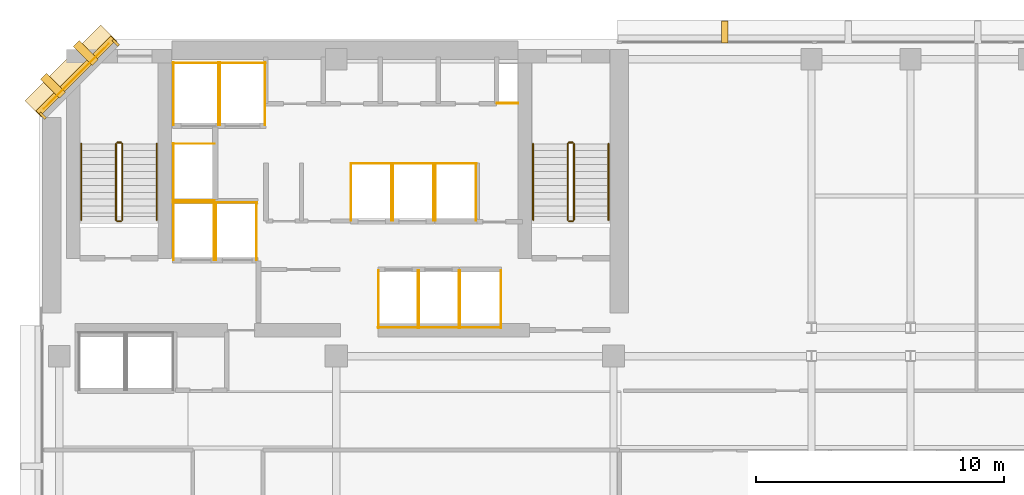
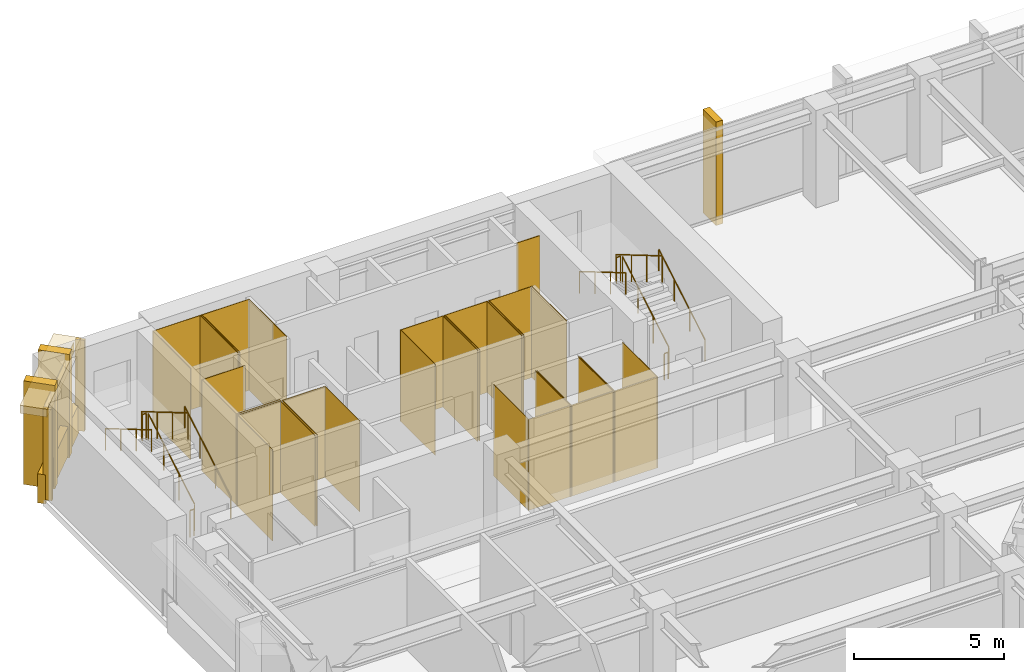
# One storey, part 10 of 11: 42 coverings, 12 railings.
"""IFC4 building model written with IfcOpenShell, lengths in metres."""

import ifcopenshell
import ifcopenshell.guid

model = None  # the IFC model being written
_history = None  # IfcOwnerHistory: only IFC2X3 demands one
_inside = {}  # id of a spatial element -> (the spatial element, [elements in it])
_under = {}  # id of a project, library or spatial element -> (it, [spatial elements below it])
_declared = {}  # id of a project -> (the project, [libraries it declares])
_typed = {}  # id of a type object -> (the type object, [elements of that type])
_made_of = {}  # id of a material, layer set ... -> (it, [elements and type objects made of it])


def new_model(schema):
    """Start an empty IFC model of exactly this schema.

    Asked for "IFC4X3", IfcOpenShell would pick the latest addendum, in which some entities
    have other attributes; the version numbers below select the first issue.
    IFC2X3 requires an IfcOwnerHistory on every rooted entity: one is made here for all.
    """
    global model, _history
    if schema == "IFC4X3":
        model = ifcopenshell.file(schema_version=(4, 3, 0, 0))
    else:
        model = ifcopenshell.file(schema=schema)
    _inside.clear()
    _under.clear()
    _declared.clear()
    _typed.clear()
    _made_of.clear()
    _history = None
    if model.schema == "IFC2X3":
        org = make("IfcOrganization", Name="unknown")
        user = make(
            "IfcPersonAndOrganization",
            ThePerson=make("IfcPerson", FamilyName="unknown"),
            TheOrganization=org,
        )
        app = make(
            "IfcApplication",
            ApplicationDeveloper=org,
            Version="unknown",
            ApplicationFullName="unknown",
            ApplicationIdentifier="unknown",
        )
        _history = make(
            "IfcOwnerHistory",
            OwningUser=user,
            OwningApplication=app,
            ChangeAction="ADDED",
            CreationDate=0,
        )
    return model


def make(cls, **values):
    """One entity of the class cls with the attributes given. An attribute that is None is left unset."""
    return model.create_entity(
        cls, **{name: value for name, value in values.items() if value is not None}
    )


def rooted(cls, **values):
    """An entity with a GlobalId (a new one), such as an element, a storey or a relation."""
    return make(cls, GlobalId=ifcopenshell.guid.new(), OwnerHistory=_history, **values)


def si_unit(unit_type, name, prefix=None):
    """IfcSIUnit, for example si_unit("LENGTHUNIT", "METRE", prefix="MILLI")."""
    return make("IfcSIUnit", UnitType=unit_type, Prefix=prefix, Name=name)


def assignment(units):
    """IfcUnitAssignment: the units of a project."""
    return None if units is None else make("IfcUnitAssignment", Units=units)


def point(xyz):
    """IfcCartesianPoint."""
    return None if xyz is None else make("IfcCartesianPoint", Coordinates=xyz)


def direction(xyz):
    """IfcDirection."""
    return None if xyz is None else make("IfcDirection", DirectionRatios=xyz)


def frame(location, z_axis=None, x_axis=None):
    """IfcAxis2Placement3D, a coordinate frame: its origin and axes. An axis left out is left unset."""
    return make(
        "IfcAxis2Placement3D",
        Location=point(location),
        Axis=direction(z_axis),
        RefDirection=direction(x_axis),
    )


def frame_2d(location, x_axis=None):
    """IfcAxis2Placement2D, a coordinate frame in the plane: its origin and x axis."""
    return make(
        "IfcAxis2Placement2D", Location=point(location), RefDirection=direction(x_axis)
    )


def origin():
    """The frame at (0, 0, 0) with its axes left unset."""
    return frame((0.0, 0.0, 0.0))


def origin_2d():
    """The frame at (0, 0) in the plane with its x axis left unset."""
    return frame_2d((0.0, 0.0))


def place(relative_to, where):
    """IfcLocalPlacement: puts the frame where relative to a parent placement (None: the world)."""
    return make(
        "IfcLocalPlacement", PlacementRelTo=relative_to, RelativePlacement=where
    )


def context(
    kind, dimensions, precision=None, world=None, true_north=None, identifier=None
):
    """IfcGeometricRepresentationContext, for example the 3D "Model" context."""
    return make(
        "IfcGeometricRepresentationContext",
        ContextIdentifier=identifier,
        ContextType=kind,
        CoordinateSpaceDimension=dimensions,
        Precision=precision,
        WorldCoordinateSystem=world,
        TrueNorth=true_north,
    )


def subcontext(parent, identifier, kind, view, scale=None):
    """IfcGeometricRepresentationSubContext, for example "Body" below "Model"."""
    return make(
        "IfcGeometricRepresentationSubContext",
        ContextIdentifier=identifier,
        ContextType=kind,
        ParentContext=parent,
        TargetScale=scale,
        TargetView=view,
    )


def project(units=None, contexts=None):
    """IfcProject with its units and contexts."""
    return rooted(
        "IfcProject",
        Name="project",
        RepresentationContexts=contexts,
        UnitsInContext=assignment(units),
    )


def spatial(cls, under=None, at=None, **own):
    """A site, building, storey or space (cls), placed at a placement, below another one or the project."""
    s = rooted(cls, ObjectPlacement=at, **own)
    if under is not None:
        _under.setdefault(under.id(), (under, []))[1].append(s)
    return s


def polyline(points):
    """IfcPolyline through the points."""
    return make("IfcPolyline", Points=[point(p) for p in points])


def profile(cls, at=None, kind="AREA", **sizes):
    """A parametric profile (cls). Its sizes go by their IFC names, for example OverallWidth=200.0."""
    return make(cls, ProfileType=kind, Position=at, **sizes)


def rectangle(**sizes):
    """IfcRectangleProfileDef."""
    return profile("IfcRectangleProfileDef", **sizes)


def circle(**sizes):
    """IfcCircleProfileDef."""
    return profile("IfcCircleProfileDef", **sizes)


def outline(outer, holes=None, kind="AREA"):
    """IfcArbitraryClosedProfileDef: a profile drawn as a closed curve; with holes, ...WithVoids."""
    if holes is None:
        return make("IfcArbitraryClosedProfileDef", ProfileType=kind, OuterCurve=outer)
    return make(
        "IfcArbitraryProfileDefWithVoids",
        ProfileType=kind,
        OuterCurve=outer,
        InnerCurves=holes,
    )


def extrude(swept, where, along, depth):
    """IfcExtrudedAreaSolid: the profile swept, set in the frame where, extruded along a direction by depth."""
    return make(
        "IfcExtrudedAreaSolid",
        SweptArea=swept,
        Position=where,
        ExtrudedDirection=direction(along),
        Depth=depth,
    )


def shape(context_of_items, identifier, shape_type, items):
    """IfcShapeRepresentation: the items that make up one representation, for example the "Body"."""
    return make(
        "IfcShapeRepresentation",
        ContextOfItems=context_of_items,
        RepresentationIdentifier=identifier,
        RepresentationType=shape_type,
        Items=items,
    )


def material(Name=None, Category=None):
    """IfcMaterial."""
    return make("IfcMaterial", Name=Name, Category=Category)


def layer(
    of_material, thickness, ventilated=None, Name=None, Category=None, Priority=None
):
    """IfcMaterialLayer: one layer of a wall or slab, of a material (None: an air gap)."""
    return make(
        "IfcMaterialLayer",
        Material=of_material,
        LayerThickness=thickness,
        IsVentilated=ventilated,
        Name=Name,
        Category=Category,
        Priority=Priority,
    )


def layer_set(layers, Name=None):
    """IfcMaterialLayerSet."""
    return make("IfcMaterialLayerSet", MaterialLayers=layers, LayerSetName=Name)


def made_of(thing, what):
    """Note that an element or type object is made of a material, layer set ...; save() writes the relation."""
    if what is not None:
        _made_of.setdefault(what.id(), (what, []))[1].append(thing)
    return thing


def type_object(cls, material=None, **own):
    """A type object (cls), such as IfcWallType, which elements share."""
    return made_of(rooted(cls, **own), material)


def element(
    cls,
    number,
    at=None,
    inside=None,
    cuts=None,
    type_object=None,
    material=None,
    context=None,
    identifier="Body",
    shape_type=None,
    held_by="IfcProductDefinitionShape",
    body=None,
    shapes=None,
    **own,
):
    """One element of the class cls, such as IfcWall. Its Tag is "e" and its number.

    at: its placement. inside: the storey or other place that contains it. cuts: it is an
    opening in that element (IfcRelVoidsElement). A single representation is given by context,
    identifier, shape_type and body (its items); several are given by shapes. held_by: the class
    of the entity that holds the representations. save() writes the other relations.
    """
    e = rooted(cls, Tag="e%d" % number, ObjectPlacement=at, **own)
    if body is not None:
        shapes = [shape(context, identifier, shape_type, body)]
    if shapes is not None:
        e.Representation = make(held_by, Representations=shapes)
    if inside is not None:
        _inside.setdefault(inside.id(), (inside, []))[1].append(e)
    if cuts is not None:
        rooted(
            "IfcRelVoidsElement", RelatingBuildingElement=cuts, RelatedOpeningElement=e
        )
    if type_object is not None:
        _typed.setdefault(type_object.id(), (type_object, []))[1].append(e)
    return made_of(e, material)


def aggregate(whole, parts):
    """IfcRelAggregates: a whole, such as a stair, and the parts it consists of."""
    return rooted("IfcRelAggregates", RelatingObject=whole, RelatedObjects=parts)


def save(model, path):
    """Write the relations noted so far, then the file.

    IfcRelAggregates (storeys below a building ...), IfcRelContainedInSpatialStructure (elements
    in a storey), IfcRelDefinesByType, IfcRelAssociatesMaterial and IfcRelDeclares: one each for
    every whole, place, type object, material and project.
    """
    for whole, parts in _under.values():
        aggregate(whole, parts)
    for where, things in _inside.values():
        rooted(
            "IfcRelContainedInSpatialStructure",
            RelatedElements=things,
            RelatingStructure=where,
        )
    for kind, things in _typed.values():
        rooted("IfcRelDefinesByType", RelatedObjects=things, RelatingType=kind)
    for what, things in _made_of.values():
        rooted("IfcRelAssociatesMaterial", RelatedObjects=things, RelatingMaterial=what)
    for by, libraries in _declared.values():
        rooted("IfcRelDeclares", RelatingContext=by, RelatedDefinitions=libraries)
    model.write(path)


model = new_model("IFC4")

# Units and contexts
model_context = context("Model", 3, precision=1e-05, world=origin(), true_north=direction((0.0, 1.0)))
body_context = subcontext(model_context, "Body", "Model", "MODEL_VIEW")
ifc_project = project(units=[si_unit("LENGTHUNIT", "METRE"), si_unit("AREAUNIT", "SQUARE_METRE"), si_unit("VOLUMEUNIT", "CUBIC_METRE"), si_unit("PLANEANGLEUNIT", "RADIAN"), si_unit("MASSUNIT", "GRAM", prefix="KILO")], contexts=[model_context])

# Site, building, storey
site_placement = place(None, origin())
site = spatial("IfcSite", under=ifc_project, at=site_placement, CompositionType="ELEMENT")
building_placement = place(site_placement, origin())
building = spatial("IfcBuilding", under=site, at=building_placement, Name="Kefirva Bronze Tower", CompositionType="ELEMENT")
storey_placement = place(building_placement, frame((0.0, 0.0, 142.889892578125)))
storey = spatial("IfcBuildingStorey", under=building, at=storey_placement, Name="L34", CompositionType="ELEMENT", Elevation=142.889892578125)

# Coverings
ifc_material_1 = material(Name="Bronze anodised aluminium", Category="aluminium")
ifc_layer_1 = layer(ifc_material_1, 0.02001953125, Name="Bronze anodised aluminium")
ifc_layer_set_1 = layer_set([ifc_layer_1], Name="Bronze anodised aluminium")
covering_type_1 = type_object("IfcCoveringType", Name="Anodised Bronze Spandrel Cladding 20mm", PredefinedType="CLADDING", material=ifc_layer_set_1)
covering_1_placement = place(storey_placement, frame((1.492919921875, 44.507080078125, 3.2900390625), z_axis=(0.0, 0.0, 1.0), x_axis=(-0.707106781187, -0.707106781187, 0.0)))
element("IfcCovering", 1, at=covering_1_placement, inside=storey, type_object=covering_type_1, Name="L34 Bronze Spandrel Cladding 5", PredefinedType="CLADDING", context=body_context, shape_type="SweptSolid", body=[
    extrude(rectangle(XDim=3.719482421875, YDim=0.02001953125, at=origin_2d()), origin(), (0.0, 0.0, 1.0), 0.39990234375),
])
for number, where, z_axis, x_axis, name in (
    (2, (3.08837890625, 45.862060546875, 0.000244140625), (0.0, 0.0, 1.0), (-0.707106781187, -0.707106781187, 0.0), "L34 Facade Joint Closure Panel 5S"),
    (3, (0.137939453125, 42.91162109375, 0.000244140625), (0.0, 0.0, 1.0), (-0.707106781187, -0.707106781187, 0.0), "L34 Facade Joint Closure Panel 5E"),
):
    element("IfcCovering", number, at=place(storey_placement, frame(where, z_axis=z_axis, x_axis=x_axis)), inside=storey, type_object=covering_type_1, Name=name, PredefinedType="CLADDING", context=body_context, shape_type="SweptSolid", body=[
        extrude(rectangle(XDim=0.10009765625, YDim=0.320068359375, at=origin_2d()), origin(), (0.0, 0.0, 1.0), 3.7099609375),
    ])
covering_2_placement = place(storey_placement, frame((1.4716796875, 44.5283203125, -0.15966796875), z_axis=(0.0, 0.0, 1.0), x_axis=(-0.707106781187, -0.707106781187, 0.0)))
element("IfcCovering", 4, at=covering_2_placement, inside=storey, type_object=covering_type_1, Name="L34 Streamline Horizontal Spandrel Band 9", PredefinedType="CLADDING", context=body_context, shape_type="SweptSolid", body=[
    extrude(rectangle(XDim=4.28271484375, YDim=0.280029296875, at=origin_2d()), origin(), (0.0, 0.0, 1.0), 1.179931640625),
])
covering_3_placement = place(storey_placement, origin())
element("IfcCovering", 5, at=covering_3_placement, inside=storey, type_object=covering_type_1, Name="L34 Lift FF1 Hoistway Liner N", PredefinedType="CLADDING", context=body_context, shape_type="SweptSolid", body=[
    extrude(outline(polyline([(5.39990234375, 39.389892578125), (7.080078125, 39.389892578125), (7.080078125, 39.409912109375), (5.39990234375, 39.409912109375), (5.39990234375, 39.389892578125)])), origin(), (0.0, 0.0, 1.0), 3.710205078125),
])
covering_4_placement = place(storey_placement, origin())
element("IfcCovering", 6, at=covering_4_placement, inside=storey, type_object=covering_type_1, Name="L34 Lift FF1 Hoistway Liner W", PredefinedType="CLADDING", context=body_context, shape_type="SweptSolid", body=[
    extrude(outline(polyline([(5.409912109375, 37.080078125), (5.429931640625, 37.080078125), (5.429931640625, 39.419921875), (5.409912109375, 39.419921875), (5.409912109375, 37.080078125)])), origin(), (0.0, 0.0, 1.0), 3.710205078125),
])
covering_5_placement = place(storey_placement, origin())
element("IfcCovering", 7, at=covering_5_placement, inside=storey, type_object=covering_type_1, Name="L34 Lift FF1 Hoistway Liner E", PredefinedType="CLADDING", context=body_context, shape_type="SweptSolid", body=[
    extrude(outline(polyline([(7.050048828125, 37.080078125), (7.070068359375, 37.080078125), (7.070068359375, 39.419921875), (7.050048828125, 39.419921875), (7.050048828125, 37.080078125)])), origin(), (0.0, 0.0, 1.0), 3.710205078125),
])
covering_6_placement = place(storey_placement, origin())
element("IfcCovering", 8, at=covering_6_placement, inside=storey, type_object=covering_type_1, Name="L34 Lift FF2 Hoistway Liner N", PredefinedType="CLADDING", context=body_context, shape_type="SweptSolid", body=[
    extrude(outline(polyline([(7.1201171875, 39.389892578125), (8.800048828125, 39.389892578125), (8.800048828125, 39.409912109375), (7.1201171875, 39.409912109375), (7.1201171875, 39.389892578125)])), origin(), (0.0, 0.0, 1.0), 3.710205078125),
])
covering_7_placement = place(storey_placement, origin())
element("IfcCovering", 9, at=covering_7_placement, inside=storey, type_object=covering_type_1, Name="L34 Lift FF2 Hoistway Liner W", PredefinedType="CLADDING", context=body_context, shape_type="SweptSolid", body=[
    extrude(outline(polyline([(7.1298828125, 37.080078125), (7.14990234375, 37.080078125), (7.14990234375, 39.419921875), (7.1298828125, 39.419921875), (7.1298828125, 37.080078125)])), origin(), (0.0, 0.0, 1.0), 3.710205078125),
])
covering_8_placement = place(storey_placement, origin())
element("IfcCovering", 10, at=covering_8_placement, inside=storey, type_object=covering_type_1, Name="L34 Lift FF2 Hoistway Liner E", PredefinedType="CLADDING", context=body_context, shape_type="SweptSolid", body=[
    extrude(outline(polyline([(8.77001953125, 37.080078125), (8.7900390625, 37.080078125), (8.7900390625, 39.419921875), (8.77001953125, 39.419921875), (8.77001953125, 37.080078125)])), origin(), (0.0, 0.0, 1.0), 3.710205078125),
])
covering_9_placement = place(storey_placement, origin())
element("IfcCovering", 11, at=covering_9_placement, inside=storey, type_object=covering_type_1, Name="L34 Lift SV1 Hoistway Liner N", PredefinedType="CLADDING", context=body_context, shape_type="SweptSolid", body=[
    extrude(outline(polyline([(5.39990234375, 45.0400390625), (7.260009765625, 45.0400390625), (7.260009765625, 45.06005859375), (5.39990234375, 45.06005859375), (5.39990234375, 45.0400390625)])), origin(), (0.0, 0.0, 1.0), 3.710205078125),
])
covering_10_placement = place(storey_placement, origin())
element("IfcCovering", 12, at=covering_10_placement, inside=storey, type_object=covering_type_1, Name="L34 Lift SV1 Hoistway Liner W", PredefinedType="CLADDING", context=body_context, shape_type="SweptSolid", body=[
    extrude(outline(polyline([(5.409912109375, 42.530029296875), (5.429931640625, 42.530029296875), (5.429931640625, 45.070068359375), (5.409912109375, 45.070068359375), (5.409912109375, 42.530029296875)])), origin(), (0.0, 0.0, 1.0), 3.710205078125),
])
covering_11_placement = place(storey_placement, origin())
element("IfcCovering", 13, at=covering_11_placement, inside=storey, type_object=covering_type_1, Name="L34 Lift SV1 Hoistway Liner E", PredefinedType="CLADDING", context=body_context, shape_type="SweptSolid", body=[
    extrude(outline(polyline([(7.22998046875, 42.530029296875), (7.25, 42.530029296875), (7.25, 45.070068359375), (7.22998046875, 45.070068359375), (7.22998046875, 42.530029296875)])), origin(), (0.0, 0.0, 1.0), 3.710205078125),
])
covering_12_placement = place(storey_placement, origin())
element("IfcCovering", 14, at=covering_12_placement, inside=storey, type_object=covering_type_1, Name="L34 Lift SV2 Hoistway Liner N", PredefinedType="CLADDING", context=body_context, shape_type="SweptSolid", body=[
    extrude(outline(polyline([(7.280029296875, 45.0400390625), (9.139892578125, 45.0400390625), (9.139892578125, 45.06005859375), (7.280029296875, 45.06005859375), (7.280029296875, 45.0400390625)])), origin(), (0.0, 0.0, 1.0), 3.710205078125),
])
covering_13_placement = place(storey_placement, origin())
element("IfcCovering", 15, at=covering_13_placement, inside=storey, type_object=covering_type_1, Name="L34 Lift SV2 Hoistway Liner W", PredefinedType="CLADDING", context=body_context, shape_type="SweptSolid", body=[
    extrude(outline(polyline([(7.2900390625, 42.530029296875), (7.31005859375, 42.530029296875), (7.31005859375, 45.070068359375), (7.2900390625, 45.070068359375), (7.2900390625, 42.530029296875)])), origin(), (0.0, 0.0, 1.0), 3.710205078125),
])
covering_14_placement = place(storey_placement, origin())
element("IfcCovering", 16, at=covering_14_placement, inside=storey, type_object=covering_type_1, Name="L34 Lift SV2 Hoistway Liner E", PredefinedType="CLADDING", context=body_context, shape_type="SweptSolid", body=[
    extrude(outline(polyline([(9.110107421875, 42.530029296875), (9.1298828125, 42.530029296875), (9.1298828125, 45.070068359375), (9.110107421875, 45.070068359375), (9.110107421875, 42.530029296875)])), origin(), (0.0, 0.0, 1.0), 3.710205078125),
])
covering_15_placement = place(storey_placement, origin())
element("IfcCovering", 17, at=covering_15_placement, inside=storey, type_object=covering_type_1, Name="L34 Lift MP1 Hoistway Liner S", PredefinedType="CLADDING", context=body_context, shape_type="SweptSolid", body=[
    extrude(outline(polyline([(13.679931640625, 34.340087890625), (15.320068359375, 34.340087890625), (15.320068359375, 34.360107421875), (13.679931640625, 34.360107421875), (13.679931640625, 34.340087890625)])), origin(), (0.0, 0.0, 1.0), 3.710205078125),
])
covering_16_placement = place(storey_placement, origin())
element("IfcCovering", 18, at=covering_16_placement, inside=storey, type_object=covering_type_1, Name="L34 Lift MP1 Hoistway Liner W", PredefinedType="CLADDING", context=body_context, shape_type="SweptSolid", body=[
    extrude(outline(polyline([(13.68994140625, 34.330078125), (13.7099609375, 34.330078125), (13.7099609375, 36.669921875), (13.68994140625, 36.669921875), (13.68994140625, 34.330078125)])), origin(), (0.0, 0.0, 1.0), 3.710205078125),
])
covering_17_placement = place(storey_placement, origin())
element("IfcCovering", 19, at=covering_17_placement, inside=storey, type_object=covering_type_1, Name="L34 Lift MP1 Hoistway Liner E", PredefinedType="CLADDING", context=body_context, shape_type="SweptSolid", body=[
    extrude(outline(polyline([(15.2900390625, 34.330078125), (15.31005859375, 34.330078125), (15.31005859375, 36.669921875), (15.2900390625, 36.669921875), (15.2900390625, 34.330078125)])), origin(), (0.0, 0.0, 1.0), 3.710205078125),
])
covering_18_placement = place(storey_placement, origin())
element("IfcCovering", 20, at=covering_18_placement, inside=storey, type_object=covering_type_1, Name="L34 Lift MP2 Hoistway Liner S", PredefinedType="CLADDING", context=body_context, shape_type="SweptSolid", body=[
    extrude(outline(polyline([(15.330078125, 34.340087890625), (16.969970703125, 34.340087890625), (16.969970703125, 34.360107421875), (15.330078125, 34.360107421875), (15.330078125, 34.340087890625)])), origin(), (0.0, 0.0, 1.0), 3.710205078125),
])
covering_19_placement = place(storey_placement, origin())
element("IfcCovering", 21, at=covering_19_placement, inside=storey, type_object=covering_type_1, Name="L34 Lift MP2 Hoistway Liner W", PredefinedType="CLADDING", context=body_context, shape_type="SweptSolid", body=[
    extrude(outline(polyline([(15.340087890625, 34.330078125), (15.360107421875, 34.330078125), (15.360107421875, 36.669921875), (15.340087890625, 36.669921875), (15.340087890625, 34.330078125)])), origin(), (0.0, 0.0, 1.0), 3.710205078125),
])
covering_20_placement = place(storey_placement, origin())
element("IfcCovering", 22, at=covering_20_placement, inside=storey, type_object=covering_type_1, Name="L34 Lift MP2 Hoistway Liner E", PredefinedType="CLADDING", context=body_context, shape_type="SweptSolid", body=[
    extrude(outline(polyline([(16.93994140625, 34.330078125), (16.9599609375, 34.330078125), (16.9599609375, 36.669921875), (16.93994140625, 36.669921875), (16.93994140625, 34.330078125)])), origin(), (0.0, 0.0, 1.0), 3.710205078125),
])
covering_21_placement = place(storey_placement, origin())
element("IfcCovering", 23, at=covering_21_placement, inside=storey, type_object=covering_type_1, Name="L34 Lift MP3 Hoistway Liner N", PredefinedType="CLADDING", context=body_context, shape_type="SweptSolid", body=[
    extrude(outline(polyline([(12.580078125, 40.969970703125), (14.25, 40.969970703125), (14.25, 40.989990234375), (12.580078125, 40.989990234375), (12.580078125, 40.969970703125)])), origin(), (0.0, 0.0, 1.0), 3.710205078125),
])
covering_22_placement = place(storey_placement, origin())
element("IfcCovering", 24, at=covering_22_placement, inside=storey, type_object=covering_type_1, Name="L34 Lift MP3 Hoistway Liner W", PredefinedType="CLADDING", context=body_context, shape_type="SweptSolid", body=[
    extrude(outline(polyline([(12.590087890625, 38.659912109375), (12.610107421875, 38.659912109375), (12.610107421875, 41.0), (12.590087890625, 41.0), (12.590087890625, 38.659912109375)])), origin(), (0.0, 0.0, 1.0), 3.710205078125),
])
covering_23_placement = place(storey_placement, origin())
element("IfcCovering", 25, at=covering_23_placement, inside=storey, type_object=covering_type_1, Name="L34 Lift MP3 Hoistway Liner E", PredefinedType="CLADDING", context=body_context, shape_type="SweptSolid", body=[
    extrude(outline(polyline([(14.219970703125, 38.659912109375), (14.239990234375, 38.659912109375), (14.239990234375, 41.0), (14.219970703125, 41.0), (14.219970703125, 38.659912109375)])), origin(), (0.0, 0.0, 1.0), 3.710205078125),
])
covering_24_placement = place(storey_placement, origin())
element("IfcCovering", 26, at=covering_24_placement, inside=storey, type_object=covering_type_1, Name="L34 Lift MP4 Hoistway Liner N", PredefinedType="CLADDING", context=body_context, shape_type="SweptSolid", body=[
    extrude(outline(polyline([(14.280029296875, 40.969970703125), (15.949951171875, 40.969970703125), (15.949951171875, 40.989990234375), (14.280029296875, 40.989990234375), (14.280029296875, 40.969970703125)])), origin(), (0.0, 0.0, 1.0), 3.710205078125),
])
covering_25_placement = place(storey_placement, origin())
element("IfcCovering", 27, at=covering_25_placement, inside=storey, type_object=covering_type_1, Name="L34 Lift MP4 Hoistway Liner W", PredefinedType="CLADDING", context=body_context, shape_type="SweptSolid", body=[
    extrude(outline(polyline([(14.2900390625, 38.659912109375), (14.31005859375, 38.659912109375), (14.31005859375, 41.0), (14.2900390625, 41.0), (14.2900390625, 38.659912109375)])), origin(), (0.0, 0.0, 1.0), 3.710205078125),
])
covering_26_placement = place(storey_placement, origin())
element("IfcCovering", 28, at=covering_26_placement, inside=storey, type_object=covering_type_1, Name="L34 Lift MP4 Hoistway Liner E", PredefinedType="CLADDING", context=body_context, shape_type="SweptSolid", body=[
    extrude(outline(polyline([(15.919921875, 38.659912109375), (15.93994140625, 38.659912109375), (15.93994140625, 41.0), (15.919921875, 41.0), (15.919921875, 38.659912109375)])), origin(), (0.0, 0.0, 1.0), 3.710205078125),
])
covering_27_placement = place(storey_placement, origin())
element("IfcCovering", 29, at=covering_27_placement, inside=storey, type_object=covering_type_1, Name="L34 Lift HP1 Hoistway Liner S", PredefinedType="CLADDING", context=body_context, shape_type="SweptSolid", body=[
    extrude(outline(polyline([(16.97998046875, 34.340087890625), (18.669921875, 34.340087890625), (18.669921875, 34.360107421875), (16.97998046875, 34.360107421875), (16.97998046875, 34.340087890625)])), origin(), (0.0, 0.0, 1.0), 3.710205078125),
])
covering_28_placement = place(storey_placement, origin())
element("IfcCovering", 30, at=covering_28_placement, inside=storey, type_object=covering_type_1, Name="L34 Lift HP1 Hoistway Liner W", PredefinedType="CLADDING", context=body_context, shape_type="SweptSolid", body=[
    extrude(outline(polyline([(16.989990234375, 34.330078125), (17.010009765625, 34.330078125), (17.010009765625, 36.669921875), (16.989990234375, 36.669921875), (16.989990234375, 34.330078125)])), origin(), (0.0, 0.0, 1.0), 3.710205078125),
])
covering_29_placement = place(storey_placement, origin())
element("IfcCovering", 31, at=covering_29_placement, inside=storey, type_object=covering_type_1, Name="L34 Lift HP1 Hoistway Liner E", PredefinedType="CLADDING", context=body_context, shape_type="SweptSolid", body=[
    extrude(outline(polyline([(18.639892578125, 34.330078125), (18.659912109375, 34.330078125), (18.659912109375, 36.669921875), (18.639892578125, 36.669921875), (18.639892578125, 34.330078125)])), origin(), (0.0, 0.0, 1.0), 3.710205078125),
])
covering_30_placement = place(storey_placement, origin())
element("IfcCovering", 32, at=covering_30_placement, inside=storey, type_object=covering_type_1, Name="L34 Lift HP2 Hoistway Liner N", PredefinedType="CLADDING", context=body_context, shape_type="SweptSolid", body=[
    extrude(outline(polyline([(15.97998046875, 40.969970703125), (17.669921875, 40.969970703125), (17.669921875, 40.989990234375), (15.97998046875, 40.989990234375), (15.97998046875, 40.969970703125)])), origin(), (0.0, 0.0, 1.0), 3.710205078125),
])
covering_31_placement = place(storey_placement, origin())
element("IfcCovering", 33, at=covering_31_placement, inside=storey, type_object=covering_type_1, Name="L34 Lift HP2 Hoistway Liner W", PredefinedType="CLADDING", context=body_context, shape_type="SweptSolid", body=[
    extrude(outline(polyline([(15.989990234375, 38.659912109375), (16.010009765625, 38.659912109375), (16.010009765625, 41.0), (15.989990234375, 41.0), (15.989990234375, 38.659912109375)])), origin(), (0.0, 0.0, 1.0), 3.710205078125),
])
covering_32_placement = place(storey_placement, origin())
element("IfcCovering", 34, at=covering_32_placement, inside=storey, type_object=covering_type_1, Name="L34 Lift HP2 Hoistway Liner E", PredefinedType="CLADDING", context=body_context, shape_type="SweptSolid", body=[
    extrude(outline(polyline([(17.639892578125, 38.659912109375), (17.659912109375, 38.659912109375), (17.659912109375, 41.0), (17.639892578125, 41.0), (17.639892578125, 38.659912109375)])), origin(), (0.0, 0.0, 1.0), 3.710205078125),
])
covering_33_placement = place(storey_placement, origin())
element("IfcCovering", 35, at=covering_33_placement, inside=storey, type_object=covering_type_1, Name="L34 Lift HP3 Hoistway Liner N", PredefinedType="CLADDING", context=body_context, shape_type="SweptSolid", body=[
    extrude(outline(polyline([(5.39990234375, 41.77001953125), (7.080078125, 41.77001953125), (7.080078125, 41.7900390625), (5.39990234375, 41.7900390625), (5.39990234375, 41.77001953125)])), origin(), (0.0, 0.0, 1.0), 3.710205078125),
])
covering_34_placement = place(storey_placement, origin())
element("IfcCovering", 36, at=covering_34_placement, inside=storey, type_object=covering_type_1, Name="L34 Lift HP3 Hoistway Liner S", PredefinedType="CLADDING", context=body_context, shape_type="SweptSolid", body=[
    extrude(outline(polyline([(5.39990234375, 39.469970703125), (7.080078125, 39.469970703125), (7.080078125, 39.489990234375), (5.39990234375, 39.489990234375), (5.39990234375, 39.469970703125)])), origin(), (0.0, 0.0, 1.0), 3.710205078125),
])
covering_35_placement = place(storey_placement, origin())
element("IfcCovering", 37, at=covering_35_placement, inside=storey, type_object=covering_type_1, Name="L34 Lift HP3 Hoistway Liner W", PredefinedType="CLADDING", context=body_context, shape_type="SweptSolid", body=[
    extrude(outline(polyline([(5.409912109375, 39.4599609375), (5.429931640625, 39.4599609375), (5.429931640625, 41.800048828125), (5.409912109375, 41.800048828125), (5.409912109375, 39.4599609375)])), origin(), (0.0, 0.0, 1.0), 3.710205078125),
])
covering_36_placement = place(storey_placement, origin())
element("IfcCovering", 38, at=covering_36_placement, inside=storey, type_object=covering_type_1, Name="L34 Core MEP Riser Shaft Liner South", PredefinedType="CLADDING", context=body_context, shape_type="SweptSolid", body=[
    extrude(outline(polyline([(18.47998046875, 43.39990234375), (19.360107421875, 43.39990234375), (19.360107421875, 43.429931640625), (18.47998046875, 43.429931640625), (18.47998046875, 43.39990234375)])), origin(), (0.0, 0.0, 1.0), 3.710205078125),
])

# Railings
ifc_material_2 = material(Name="Stainless steel 316", Category="steel")
railing_type_1 = type_object("IfcRailingType", Name="Interior Stair Guardrail 1100mm", PredefinedType="GUARDRAIL", material=ifc_material_2)
railing_1_placement = place(storey_placement, frame((3.35009765625, 38.699951171875, 0.1650390625)))
element("IfcRailing", 39, at=railing_1_placement, inside=storey, type_object=railing_type_1, Name="L34 ST-1 stair guard 1", PredefinedType="GUARDRAIL", context=body_context, shape_type="SweptSolid", body=[
    extrude(circle(Radius=0.02392578125, at=origin_2d()), frame((0.0, 0.0, 1.076171875), z_axis=(0.0, 0.861521393093, 0.507721271215), x_axis=(-1.0, 0.0, 0.0)), (0.0, 0.0, 1.0), 3.5751953125),
    extrude(circle(Radius=0.02099609375, at=origin_2d()), origin(), (0.0, 0.0, 1.0), 1.052001953125),
    extrude(circle(Radius=0.02099609375, at=origin_2d()), frame((0.0, 1.026611328125, 0.60498046875)), (0.0, 0.0, 1.0), 1.052001953125),
    extrude(circle(Radius=0.02099609375, at=origin_2d()), frame((0.0, 2.053466796875, 1.210205078125)), (0.0, 0.0, 1.0), 1.052001953125),
    extrude(circle(Radius=0.02099609375, at=origin_2d()), frame((0.0, 3.080078125, 1.815185546875)), (0.0, 0.0, 1.0), 1.052001953125),
])
railing_2_placement = place(storey_placement, frame((3.300048828125, 41.830078125, 1.980224609375)))
element("IfcRailing", 40, at=railing_2_placement, inside=storey, type_object=railing_type_1, Name="L34 ST-1 stair guard 2", PredefinedType="GUARDRAIL", context=body_context, shape_type="SweptSolid", body=[
    extrude(circle(Radius=0.02392578125, at=origin_2d()), frame((0.0, 0.0, 1.076171875), z_axis=(-1.0, 0.0, 0.0), x_axis=(0.0, -1.0, 0.0)), (0.0, 0.0, 1.0), 0.150146484375),
    extrude(circle(Radius=0.02099609375, at=origin_2d()), origin(), (0.0, 0.0, 1.0), 1.052001953125),
    extrude(circle(Radius=0.02099609375, at=origin_2d()), frame((-0.150146484375, 0.0, 0.0)), (0.0, 0.0, 1.0), 1.052001953125),
])
railing_3_placement = place(storey_placement, frame((3.10009765625, 41.780029296875, 2.14501953125)))
element("IfcRailing", 41, at=railing_3_placement, inside=storey, type_object=railing_type_1, Name="L34 ST-1 stair guard 3", PredefinedType="GUARDRAIL", context=body_context, shape_type="SweptSolid", body=[
    extrude(circle(Radius=0.02392578125, at=origin_2d()), frame((0.0, 0.0, 1.076171875), z_axis=(0.0, -0.861521393093, 0.507721271215), x_axis=(1.0, 0.0, 0.0)), (0.0, 0.0, 1.0), 3.5751953125),
    extrude(circle(Radius=0.02099609375, at=origin_2d()), origin(), (0.0, 0.0, 1.0), 1.052001953125),
    extrude(circle(Radius=0.02099609375, at=origin_2d()), frame((0.0, -1.026611328125, 0.60498046875)), (0.0, 0.0, 1.0), 1.052001953125),
    extrude(circle(Radius=0.02099609375, at=origin_2d()), frame((0.0, -2.053466796875, 1.210205078125)), (0.0, 0.0, 1.0), 1.052001953125),
    extrude(circle(Radius=0.02099609375, at=origin_2d()), frame((0.0, -3.080078125, 1.815185546875)), (0.0, 0.0, 1.0), 1.052001953125),
])
railing_4_placement = place(storey_placement, frame((3.300048828125, 38.64990234375, 0.0)))
element("IfcRailing", 42, at=railing_4_placement, inside=storey, type_object=railing_type_1, Name="L34 ST-1 stair guard 4", PredefinedType="GUARDRAIL", context=body_context, shape_type="SweptSolid", body=[
    extrude(circle(Radius=0.02392578125, at=origin_2d()), frame((0.0, 0.0, 1.076171875), z_axis=(-1.0, 0.0, 0.0), x_axis=(0.0, -1.0, 0.0)), (0.0, 0.0, 1.0), 0.150146484375),
    extrude(circle(Radius=0.02099609375, at=origin_2d()), origin(), (0.0, 0.0, 1.0), 1.052001953125),
    extrude(circle(Radius=0.02099609375, at=origin_2d()), frame((-0.150146484375, 0.0, 0.0)), (0.0, 0.0, 1.0), 1.052001953125),
])
railing_5_placement = place(storey_placement, frame((21.60009765625, 38.699951171875, 0.1650390625)))
element("IfcRailing", 43, at=railing_5_placement, inside=storey, type_object=railing_type_1, Name="L34 ST-2 stair guard 1", PredefinedType="GUARDRAIL", context=body_context, shape_type="SweptSolid", body=[
    extrude(circle(Radius=0.02392578125, at=origin_2d()), frame((0.0, 0.0, 1.076171875), z_axis=(0.0, 0.861521393093, 0.507721271215), x_axis=(-1.0, 0.0, 0.0)), (0.0, 0.0, 1.0), 3.5751953125),
    extrude(circle(Radius=0.02099609375, at=origin_2d()), origin(), (0.0, 0.0, 1.0), 1.052001953125),
    extrude(circle(Radius=0.02099609375, at=origin_2d()), frame((0.0, 1.026611328125, 0.60498046875)), (0.0, 0.0, 1.0), 1.052001953125),
    extrude(circle(Radius=0.02099609375, at=origin_2d()), frame((0.0, 2.053466796875, 1.210205078125)), (0.0, 0.0, 1.0), 1.052001953125),
    extrude(circle(Radius=0.02099609375, at=origin_2d()), frame((0.0, 3.080078125, 1.815185546875)), (0.0, 0.0, 1.0), 1.052001953125),
])
railing_6_placement = place(storey_placement, frame((21.550048828125, 41.830078125, 1.980224609375)))
element("IfcRailing", 44, at=railing_6_placement, inside=storey, type_object=railing_type_1, Name="L34 ST-2 stair guard 2", PredefinedType="GUARDRAIL", context=body_context, shape_type="SweptSolid", body=[
    extrude(circle(Radius=0.02392578125, at=origin_2d()), frame((0.0, 0.0, 1.076171875), z_axis=(-1.0, 0.0, 0.0), x_axis=(0.0, -1.0, 0.0)), (0.0, 0.0, 1.0), 0.150146484375),
    extrude(circle(Radius=0.02099609375, at=origin_2d()), origin(), (0.0, 0.0, 1.0), 1.052001953125),
    extrude(circle(Radius=0.02099609375, at=origin_2d()), frame((-0.150146484375, 0.0, 0.0)), (0.0, 0.0, 1.0), 1.052001953125),
])
railing_7_placement = place(storey_placement, frame((21.35009765625, 41.780029296875, 2.14501953125)))
element("IfcRailing", 45, at=railing_7_placement, inside=storey, type_object=railing_type_1, Name="L34 ST-2 stair guard 3", PredefinedType="GUARDRAIL", context=body_context, shape_type="SweptSolid", body=[
    extrude(circle(Radius=0.02392578125, at=origin_2d()), frame((0.0, 0.0, 1.076171875), z_axis=(0.0, -0.861521393093, 0.507721271215), x_axis=(1.0, 0.0, 0.0)), (0.0, 0.0, 1.0), 3.5751953125),
    extrude(circle(Radius=0.02099609375, at=origin_2d()), origin(), (0.0, 0.0, 1.0), 1.052001953125),
    extrude(circle(Radius=0.02099609375, at=origin_2d()), frame((0.0, -1.026611328125, 0.60498046875)), (0.0, 0.0, 1.0), 1.052001953125),
    extrude(circle(Radius=0.02099609375, at=origin_2d()), frame((0.0, -2.053466796875, 1.210205078125)), (0.0, 0.0, 1.0), 1.052001953125),
    extrude(circle(Radius=0.02099609375, at=origin_2d()), frame((0.0, -3.080078125, 1.815185546875)), (0.0, 0.0, 1.0), 1.052001953125),
])
railing_8_placement = place(storey_placement, frame((21.550048828125, 38.64990234375, 0.0)))
element("IfcRailing", 46, at=railing_8_placement, inside=storey, type_object=railing_type_1, Name="L34 ST-2 stair guard 4", PredefinedType="GUARDRAIL", context=body_context, shape_type="SweptSolid", body=[
    extrude(circle(Radius=0.02392578125, at=origin_2d()), frame((0.0, 0.0, 1.076171875), z_axis=(-1.0, 0.0, 0.0), x_axis=(0.0, -1.0, 0.0)), (0.0, 0.0, 1.0), 0.150146484375),
    extrude(circle(Radius=0.02099609375, at=origin_2d()), origin(), (0.0, 0.0, 1.0), 1.052001953125),
    extrude(circle(Radius=0.02099609375, at=origin_2d()), frame((-0.150146484375, 0.0, 0.0)), (0.0, 0.0, 1.0), 1.052001953125),
])
railing_type_2 = type_object("IfcRailingType", Name="Stair Pitch Handrail 900mm", PredefinedType="HANDRAIL", material=ifc_material_2)
railing_9_placement = place(storey_placement, frame((4.75, 38.699951171875, 0.1650390625)))
element("IfcRailing", 47, at=railing_9_placement, inside=storey, type_object=railing_type_2, Name="L34 ST-1 stair handrail 1", PredefinedType="HANDRAIL", context=body_context, shape_type="SweptSolid", body=[
    extrude(circle(Radius=0.02392578125, at=origin_2d()), frame((0.0, 0.0, 0.8759765625), z_axis=(0.0, 0.861521393093, 0.507721271215), x_axis=(-1.0, 0.0, 0.0)), (0.0, 0.0, 1.0), 3.5751953125),
    extrude(circle(Radius=0.02099609375, at=origin_2d()), origin(), (0.0, 0.0, 1.0), 0.851806640625),
    extrude(circle(Radius=0.02099609375, at=origin_2d()), frame((0.0, 1.026611328125, 0.60498046875)), (0.0, 0.0, 1.0), 0.851806640625),
    extrude(circle(Radius=0.02099609375, at=origin_2d()), frame((0.0, 2.053466796875, 1.210205078125)), (0.0, 0.0, 1.0), 0.851806640625),
    extrude(circle(Radius=0.02099609375, at=origin_2d()), frame((0.0, 3.080078125, 1.815185546875)), (0.0, 0.0, 1.0), 0.851806640625),
])
railing_10_placement = place(storey_placement, frame((1.699951171875, 41.780029296875, 2.14501953125)))
element("IfcRailing", 48, at=railing_10_placement, inside=storey, type_object=railing_type_2, Name="L34 ST-1 stair handrail 2", PredefinedType="HANDRAIL", context=body_context, shape_type="SweptSolid", body=[
    extrude(circle(Radius=0.02392578125, at=origin_2d()), frame((0.0, 0.0, 0.8759765625), z_axis=(0.0, -0.861521393093, 0.507721271215), x_axis=(1.0, 0.0, 0.0)), (0.0, 0.0, 1.0), 3.5751953125),
    extrude(circle(Radius=0.02099609375, at=origin_2d()), origin(), (0.0, 0.0, 1.0), 0.851806640625),
    extrude(circle(Radius=0.02099609375, at=origin_2d()), frame((0.0, -1.026611328125, 0.60498046875)), (0.0, 0.0, 1.0), 0.851806640625),
    extrude(circle(Radius=0.02099609375, at=origin_2d()), frame((0.0, -2.053466796875, 1.210205078125)), (0.0, 0.0, 1.0), 0.851806640625),
    extrude(circle(Radius=0.02099609375, at=origin_2d()), frame((0.0, -3.080078125, 1.815185546875)), (0.0, 0.0, 1.0), 0.851806640625),
])
railing_11_placement = place(storey_placement, frame((23.0, 38.699951171875, 0.1650390625)))
element("IfcRailing", 49, at=railing_11_placement, inside=storey, type_object=railing_type_2, Name="L34 ST-2 stair handrail 1", PredefinedType="HANDRAIL", context=body_context, shape_type="SweptSolid", body=[
    extrude(circle(Radius=0.02392578125, at=origin_2d()), frame((0.0, 0.0, 0.8759765625), z_axis=(0.0, 0.861521393093, 0.507721271215), x_axis=(-1.0, 0.0, 0.0)), (0.0, 0.0, 1.0), 3.5751953125),
    extrude(circle(Radius=0.02099609375, at=origin_2d()), origin(), (0.0, 0.0, 1.0), 0.851806640625),
    extrude(circle(Radius=0.02099609375, at=origin_2d()), frame((0.0, 1.026611328125, 0.60498046875)), (0.0, 0.0, 1.0), 0.851806640625),
    extrude(circle(Radius=0.02099609375, at=origin_2d()), frame((0.0, 2.053466796875, 1.210205078125)), (0.0, 0.0, 1.0), 0.851806640625),
    extrude(circle(Radius=0.02099609375, at=origin_2d()), frame((0.0, 3.080078125, 1.815185546875)), (0.0, 0.0, 1.0), 0.851806640625),
])
railing_12_placement = place(storey_placement, frame((19.949951171875, 41.780029296875, 2.14501953125)))
element("IfcRailing", 50, at=railing_12_placement, inside=storey, type_object=railing_type_2, Name="L34 ST-2 stair handrail 2", PredefinedType="HANDRAIL", context=body_context, shape_type="SweptSolid", body=[
    extrude(circle(Radius=0.02392578125, at=origin_2d()), frame((0.0, 0.0, 0.8759765625), z_axis=(0.0, -0.861521393093, 0.507721271215), x_axis=(1.0, 0.0, 0.0)), (0.0, 0.0, 1.0), 3.5751953125),
    extrude(circle(Radius=0.02099609375, at=origin_2d()), origin(), (0.0, 0.0, 1.0), 0.851806640625),
    extrude(circle(Radius=0.02099609375, at=origin_2d()), frame((0.0, -1.026611328125, 0.60498046875)), (0.0, 0.0, 1.0), 0.851806640625),
    extrude(circle(Radius=0.02099609375, at=origin_2d()), frame((0.0, -2.053466796875, 1.210205078125)), (0.0, 0.0, 1.0), 0.851806640625),
    extrude(circle(Radius=0.02099609375, at=origin_2d()), frame((0.0, -3.080078125, 1.815185546875)), (0.0, 0.0, 1.0), 0.851806640625),
])

# Coverings
ifc_layer_2 = layer(ifc_material_1, 0.179931640625, Name="Bronze anodised aluminium")
ifc_layer_set_2 = layer_set([ifc_layer_2], Name="Bronze anodised aluminium")
covering_type_2 = type_object("IfcCoveringType", Name="Streamline Bronze Sunshade Eyebrow Cladding 180mm", PredefinedType="CLADDING", material=ifc_layer_set_2)
covering_37_placement = place(storey_placement, frame((1.28076171875, 44.71923828125, 3.39013671875), z_axis=(0.0, 0.0, 1.0), x_axis=(-0.707106781187, -0.707106781187, 0.0)))
element("IfcCovering", 51, at=covering_37_placement, inside=storey, type_object=covering_type_2, Name="L34 Streamline Bronze Sunshade Eyebrow 9", PredefinedType="CLADDING", context=body_context, shape_type="SweptSolid", body=[
    extrude(rectangle(XDim=4.322509765625, YDim=0.93994140625, at=origin_2d()), origin(), (0.0, 0.0, 1.0), 0.320068359375),
])
ifc_layer_3 = layer(ifc_material_1, 0.260009765625, Name="Bronze anodised aluminium")
ifc_layer_set_3 = layer_set([ifc_layer_3], Name="Bronze anodised aluminium")
covering_type_3 = type_object("IfcCoveringType", Name="Unbroken Bronze Buttress Fin Cladding 260mm", PredefinedType="CLADDING", material=ifc_layer_set_3)
covering_38_placement = place(storey_placement, frame((27.68798828125, 46.300048828125, -0.249755859375), z_axis=(0.0, 0.0, 1.0), x_axis=(-1.0, 0.0, 0.0)))
element("IfcCovering", 52, at=covering_38_placement, inside=storey, type_object=covering_type_3, Name="L34 Unbroken Vertical Bronze Rib Fin 20", PredefinedType="CLADDING", context=body_context, shape_type="SweptSolid", body=[
    extrude(rectangle(XDim=0.260009765625, YDim=0.8798828125, at=origin_2d()), origin(), (0.0, 0.0, 1.0), 4.2099609375),
])
for number, where, z_axis, x_axis, name in (
    (53, (1.877197265625, 45.44287109375, -0.249755859375), (0.0, 0.0, 1.0), (-0.707106781187, -0.707106781187, 0.0), "L34 Chamfered Corner Buttress Fin Cladding 21"),
    (54, (0.55712890625, 44.122802734375, -0.249755859375), (0.0, 0.0, 1.0), (-0.707106781187, -0.707106781187, 0.0), "L34 Chamfered Corner Buttress Fin Cladding 22"),
):
    element("IfcCovering", number, at=place(storey_placement, frame(where, z_axis=z_axis, x_axis=x_axis)), inside=storey, type_object=covering_type_3, Name=name, PredefinedType="CLADDING", context=body_context, shape_type="SweptSolid", body=[
        extrude(rectangle(XDim=0.340087890625, YDim=1.080078125, at=origin_2d()), origin(), (0.0, 0.0, 1.0), 4.2099609375),
    ])

save(model, "model.ifc")
